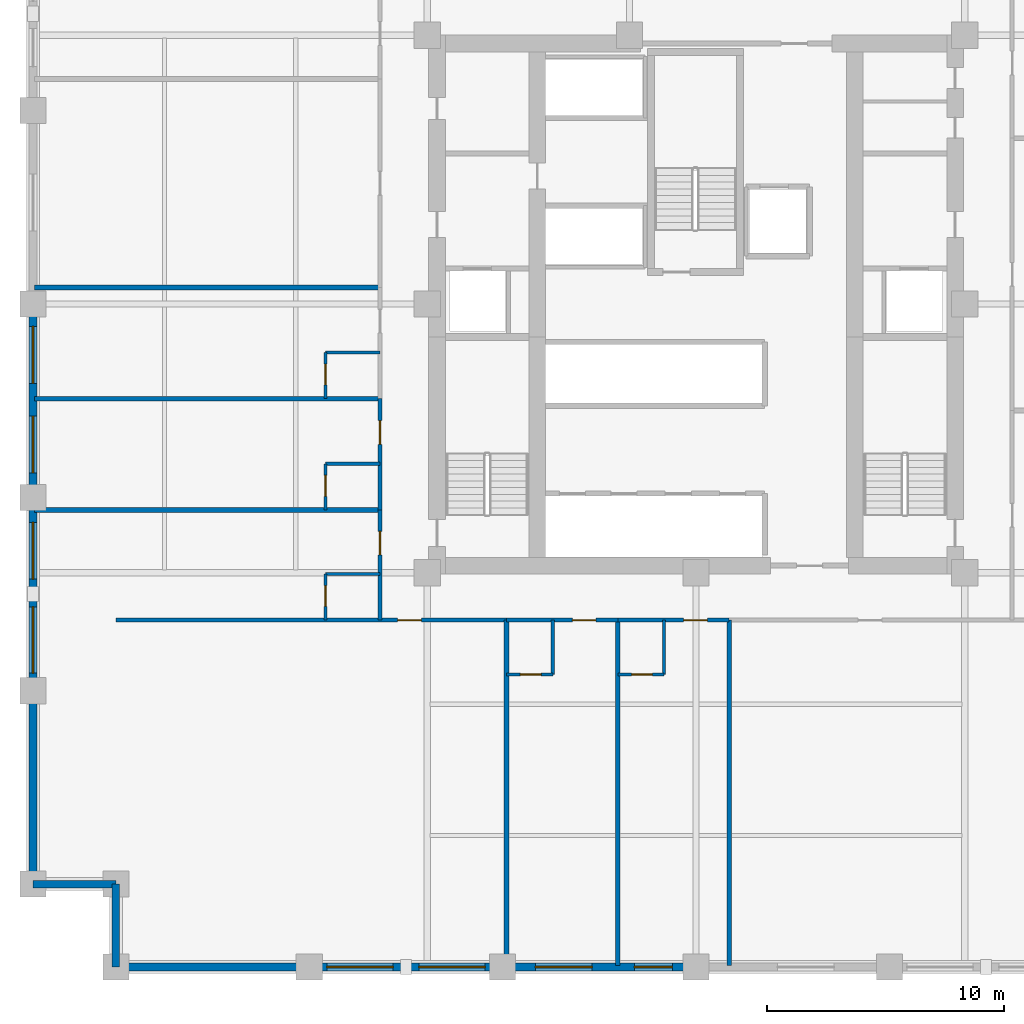
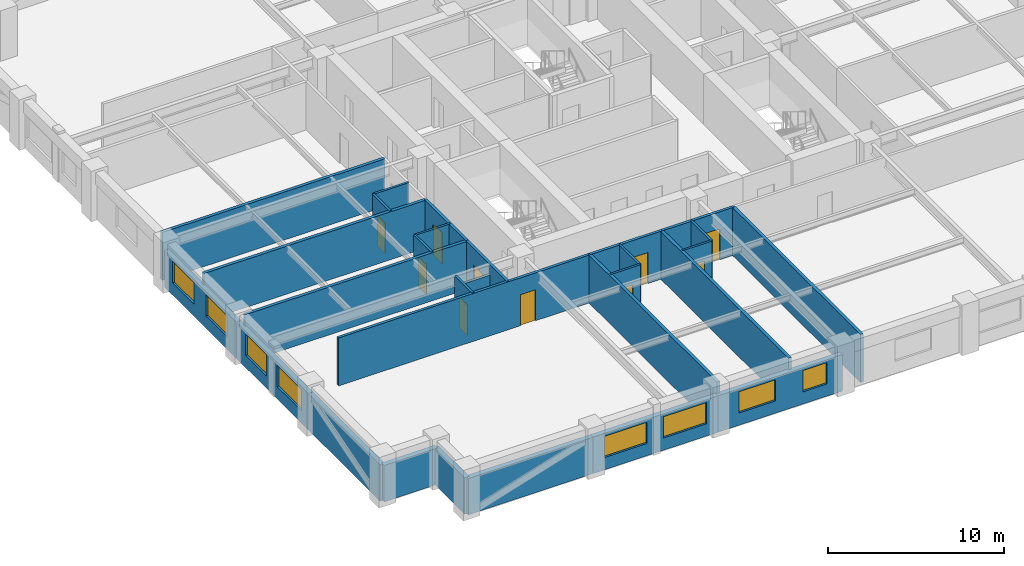
# One storey, part 2 of 7: 29 walls, 10 doors, 8 windows, 18 openings.
"""IFC4 building model written with IfcOpenShell, lengths in metres."""

import ifcopenshell
import ifcopenshell.guid

model = None  # the IFC model being written
_history = None  # IfcOwnerHistory: only IFC2X3 demands one
_inside = {}  # id of a spatial element -> (the spatial element, [elements in it])
_under = {}  # id of a project, library or spatial element -> (it, [spatial elements below it])
_declared = {}  # id of a project -> (the project, [libraries it declares])
_typed = {}  # id of a type object -> (the type object, [elements of that type])
_made_of = {}  # id of a material, layer set ... -> (it, [elements and type objects made of it])


def new_model(schema):
    """Start an empty IFC model of exactly this schema.

    Asked for "IFC4X3", IfcOpenShell would pick the latest addendum, in which some entities
    have other attributes; the version numbers below select the first issue.
    IFC2X3 requires an IfcOwnerHistory on every rooted entity: one is made here for all.
    """
    global model, _history
    if schema == "IFC4X3":
        model = ifcopenshell.file(schema_version=(4, 3, 0, 0))
    else:
        model = ifcopenshell.file(schema=schema)
    _inside.clear()
    _under.clear()
    _declared.clear()
    _typed.clear()
    _made_of.clear()
    _history = None
    if model.schema == "IFC2X3":
        org = make("IfcOrganization", Name="unknown")
        user = make(
            "IfcPersonAndOrganization",
            ThePerson=make("IfcPerson", FamilyName="unknown"),
            TheOrganization=org,
        )
        app = make(
            "IfcApplication",
            ApplicationDeveloper=org,
            Version="unknown",
            ApplicationFullName="unknown",
            ApplicationIdentifier="unknown",
        )
        _history = make(
            "IfcOwnerHistory",
            OwningUser=user,
            OwningApplication=app,
            ChangeAction="ADDED",
            CreationDate=0,
        )
    return model


def make(cls, **values):
    """One entity of the class cls with the attributes given. An attribute that is None is left unset."""
    return model.create_entity(
        cls, **{name: value for name, value in values.items() if value is not None}
    )


def rooted(cls, **values):
    """An entity with a GlobalId (a new one), such as an element, a storey or a relation."""
    return make(cls, GlobalId=ifcopenshell.guid.new(), OwnerHistory=_history, **values)


def si_unit(unit_type, name, prefix=None):
    """IfcSIUnit, for example si_unit("LENGTHUNIT", "METRE", prefix="MILLI")."""
    return make("IfcSIUnit", UnitType=unit_type, Prefix=prefix, Name=name)


def assignment(units):
    """IfcUnitAssignment: the units of a project."""
    return None if units is None else make("IfcUnitAssignment", Units=units)


def point(xyz):
    """IfcCartesianPoint."""
    return None if xyz is None else make("IfcCartesianPoint", Coordinates=xyz)


def direction(xyz):
    """IfcDirection."""
    return None if xyz is None else make("IfcDirection", DirectionRatios=xyz)


def frame(location, z_axis=None, x_axis=None):
    """IfcAxis2Placement3D, a coordinate frame: its origin and axes. An axis left out is left unset."""
    return make(
        "IfcAxis2Placement3D",
        Location=point(location),
        Axis=direction(z_axis),
        RefDirection=direction(x_axis),
    )


def frame_2d(location, x_axis=None):
    """IfcAxis2Placement2D, a coordinate frame in the plane: its origin and x axis."""
    return make(
        "IfcAxis2Placement2D", Location=point(location), RefDirection=direction(x_axis)
    )


def origin():
    """The frame at (0, 0, 0) with its axes left unset."""
    return frame((0.0, 0.0, 0.0))


def place(relative_to, where):
    """IfcLocalPlacement: puts the frame where relative to a parent placement (None: the world)."""
    return make(
        "IfcLocalPlacement", PlacementRelTo=relative_to, RelativePlacement=where
    )


def context(
    kind, dimensions, precision=None, world=None, true_north=None, identifier=None
):
    """IfcGeometricRepresentationContext, for example the 3D "Model" context."""
    return make(
        "IfcGeometricRepresentationContext",
        ContextIdentifier=identifier,
        ContextType=kind,
        CoordinateSpaceDimension=dimensions,
        Precision=precision,
        WorldCoordinateSystem=world,
        TrueNorth=true_north,
    )


def subcontext(parent, identifier, kind, view, scale=None):
    """IfcGeometricRepresentationSubContext, for example "Body" below "Model"."""
    return make(
        "IfcGeometricRepresentationSubContext",
        ContextIdentifier=identifier,
        ContextType=kind,
        ParentContext=parent,
        TargetScale=scale,
        TargetView=view,
    )


def project(units=None, contexts=None):
    """IfcProject with its units and contexts."""
    return rooted(
        "IfcProject",
        Name="project",
        RepresentationContexts=contexts,
        UnitsInContext=assignment(units),
    )


def spatial(cls, under=None, at=None, **own):
    """A site, building, storey or space (cls), placed at a placement, below another one or the project."""
    s = rooted(cls, ObjectPlacement=at, **own)
    if under is not None:
        _under.setdefault(under.id(), (under, []))[1].append(s)
    return s


def profile(cls, at=None, kind="AREA", **sizes):
    """A parametric profile (cls). Its sizes go by their IFC names, for example OverallWidth=200.0."""
    return make(cls, ProfileType=kind, Position=at, **sizes)


def rectangle(**sizes):
    """IfcRectangleProfileDef."""
    return profile("IfcRectangleProfileDef", **sizes)


def extrude(swept, where, along, depth):
    """IfcExtrudedAreaSolid: the profile swept, set in the frame where, extruded along a direction by depth."""
    return make(
        "IfcExtrudedAreaSolid",
        SweptArea=swept,
        Position=where,
        ExtrudedDirection=direction(along),
        Depth=depth,
    )


def shape(context_of_items, identifier, shape_type, items):
    """IfcShapeRepresentation: the items that make up one representation, for example the "Body"."""
    return make(
        "IfcShapeRepresentation",
        ContextOfItems=context_of_items,
        RepresentationIdentifier=identifier,
        RepresentationType=shape_type,
        Items=items,
    )


def material(Name=None, Category=None):
    """IfcMaterial."""
    return make("IfcMaterial", Name=Name, Category=Category)


def layer(
    of_material, thickness, ventilated=None, Name=None, Category=None, Priority=None
):
    """IfcMaterialLayer: one layer of a wall or slab, of a material (None: an air gap)."""
    return make(
        "IfcMaterialLayer",
        Material=of_material,
        LayerThickness=thickness,
        IsVentilated=ventilated,
        Name=Name,
        Category=Category,
        Priority=Priority,
    )


def layer_set(layers, Name=None):
    """IfcMaterialLayerSet."""
    return make("IfcMaterialLayerSet", MaterialLayers=layers, LayerSetName=Name)


def made_of(thing, what):
    """Note that an element or type object is made of a material, layer set ...; save() writes the relation."""
    if what is not None:
        _made_of.setdefault(what.id(), (what, []))[1].append(thing)
    return thing


def type_object(cls, material=None, **own):
    """A type object (cls), such as IfcWallType, which elements share."""
    return made_of(rooted(cls, **own), material)


def element(
    cls,
    number,
    at=None,
    inside=None,
    cuts=None,
    type_object=None,
    material=None,
    context=None,
    identifier="Body",
    shape_type=None,
    held_by="IfcProductDefinitionShape",
    body=None,
    shapes=None,
    **own,
):
    """One element of the class cls, such as IfcWall. Its Tag is "e" and its number.

    at: its placement. inside: the storey or other place that contains it. cuts: it is an
    opening in that element (IfcRelVoidsElement). A single representation is given by context,
    identifier, shape_type and body (its items); several are given by shapes. held_by: the class
    of the entity that holds the representations. save() writes the other relations.
    """
    e = rooted(cls, Tag="e%d" % number, ObjectPlacement=at, **own)
    if body is not None:
        shapes = [shape(context, identifier, shape_type, body)]
    if shapes is not None:
        e.Representation = make(held_by, Representations=shapes)
    if inside is not None:
        _inside.setdefault(inside.id(), (inside, []))[1].append(e)
    if cuts is not None:
        rooted(
            "IfcRelVoidsElement", RelatingBuildingElement=cuts, RelatedOpeningElement=e
        )
    if type_object is not None:
        _typed.setdefault(type_object.id(), (type_object, []))[1].append(e)
    return made_of(e, material)


def fill(opening, filler):
    """IfcRelFillsElement: the door or window that sits in an opening."""
    return rooted(
        "IfcRelFillsElement",
        RelatingOpeningElement=opening,
        RelatedBuildingElement=filler,
    )


def aggregate(whole, parts):
    """IfcRelAggregates: a whole, such as a stair, and the parts it consists of."""
    return rooted("IfcRelAggregates", RelatingObject=whole, RelatedObjects=parts)


def save(model, path):
    """Write the relations noted so far, then the file.

    IfcRelAggregates (storeys below a building ...), IfcRelContainedInSpatialStructure (elements
    in a storey), IfcRelDefinesByType, IfcRelAssociatesMaterial and IfcRelDeclares: one each for
    every whole, place, type object, material and project.
    """
    for whole, parts in _under.values():
        aggregate(whole, parts)
    for where, things in _inside.values():
        rooted(
            "IfcRelContainedInSpatialStructure",
            RelatedElements=things,
            RelatingStructure=where,
        )
    for kind, things in _typed.values():
        rooted("IfcRelDefinesByType", RelatedObjects=things, RelatingType=kind)
    for what, things in _made_of.values():
        rooted("IfcRelAssociatesMaterial", RelatedObjects=things, RelatingMaterial=what)
    for by, libraries in _declared.values():
        rooted("IfcRelDeclares", RelatingContext=by, RelatedDefinitions=libraries)
    model.write(path)


model = new_model("IFC4")

# Units and contexts
model_context = context("Model", 3, precision=1e-05, world=origin(), true_north=direction((0.0, 1.0)))
body_context = subcontext(model_context, "Body", "Model", "MODEL_VIEW")
ifc_project = project(units=[si_unit("LENGTHUNIT", "METRE"), si_unit("AREAUNIT", "SQUARE_METRE"), si_unit("VOLUMEUNIT", "CUBIC_METRE"), si_unit("PLANEANGLEUNIT", "RADIAN"), si_unit("MASSUNIT", "GRAM", prefix="KILO")], contexts=[model_context])

# Site, building, storey
site_placement = place(None, origin())
site = spatial("IfcSite", under=ifc_project, at=site_placement, CompositionType="ELEMENT")
building_placement = place(site_placement, origin())
building = spatial("IfcBuilding", under=site, at=building_placement, Name="Nhamokura Convention Tower", CompositionType="ELEMENT")
storey_placement = place(building_placement, frame((0.0, 0.0, 59.85009765625)))
storey = spatial("IfcBuildingStorey", under=building, at=storey_placement, Name="L13", CompositionType="ELEMENT", Elevation=59.85009765625)

# Wall
ifc_material_1 = material(Name="Moisture-resistant tile-backer partition", Category="masonry")
ifc_layer_1 = layer(ifc_material_1, 0.139892578125)
ifc_layer_set_1 = layer_set([ifc_layer_1], Name="BathroomWetWall_140")
wall_type_1 = type_object("IfcWallType", Name="BathroomWetWall_140", PredefinedType="STANDARD", material=ifc_layer_set_1)
wall_1_placement = place(storey_placement, frame((25.949951171875, 16.35009765625, 0.0), z_axis=(0.0, 0.0, 1.0), x_axis=(0.0, 1.0, 0.0)))
element("IfcWall", 1, at=wall_1_placement, inside=storey, type_object=wall_type_1, Name="L13 Wall INT-L13-BW-S01E", PredefinedType="STANDARD", context=body_context, shape_type="SweptSolid", body=[
    extrude(rectangle(XDim=2.2998046875, YDim=0.139892578125, at=frame_2d((1.14990234375, 0.0))), origin(), (0.0, 0.0, 1.0), 3.31982421875),
])

# Wall, opening, door
wall_2_placement = place(storey_placement, frame((24.0, 16.35009765625, 0.0), z_axis=(0.0, 0.0, 1.0), x_axis=(1.0, 0.0, 0.0)))
wall_2 = element("IfcWall", 2, at=wall_2_placement, inside=storey, type_object=wall_type_1, Name="L13 Wall INT-L13-BW-S01S", PredefinedType="STANDARD", context=body_context, shape_type="SweptSolid", body=[
    extrude(rectangle(XDim=1.949951171875, YDim=0.139892578125, at=frame_2d((0.97509765625, 0.0))), origin(), (0.0, 0.0, 1.0), 3.31982421875),
])
opening_1_placement = place(wall_2_placement, frame((0.580078125, 0.0, 0.0)))
opening_1 = element("IfcOpeningElement", 3, at=opening_1_placement, cuts=wall_2, Name="Opening D-11", PredefinedType="OPENING", context=body_context, shape_type="SweptSolid", body=[
    extrude(rectangle(XDim=0.8798828125, YDim=2.10009765625, at=frame_2d((0.43994140625, 1.050048828125))), frame((0.0, 0.079833984375, 0.0), z_axis=(0.0, -1.0, 0.0), x_axis=(1.0, 0.0, 0.0)), (0.0, 0.0, 1.0), 0.159912109375),
])
ifc_material_2 = material(Name="Solid oak hardwood", Category="wood")
door_type_1 = type_object("IfcDoorType", Name="BathroomDoor_880", OperationType="NOTDEFINED", PredefinedType="DOOR", material=ifc_material_2)
door_1_placement = place(opening_1_placement, origin())
door_1 = element("IfcDoor", 4, at=door_1_placement, inside=storey, type_object=door_type_1, Name="L13 Club Room En-suite Door", OperationType="SINGLE_SWING_LEFT", OverallHeight=2.10009765625, OverallWidth=0.8798828125, PredefinedType="DOOR", context=body_context, shape_type="SweptSolid", body=[
    extrude(rectangle(XDim=0.8798828125, YDim=2.10009765625, at=frame_2d((0.43994140625, 1.050048828125))), frame((0.0, 0.02490234375, 0.0), z_axis=(0.0, -1.0, 0.0), x_axis=(1.0, 0.0, 0.0)), (0.0, 0.0, 1.0), 0.050048828125),
])
fill(opening_1, door_1)

# Wall
wall_3_placement = place(storey_placement, frame((30.64990234375, 16.35009765625, 0.0), z_axis=(0.0, 0.0, 1.0), x_axis=(0.0, 1.0, 0.0)))
element("IfcWall", 5, at=wall_3_placement, inside=storey, type_object=wall_type_1, Name="L13 Wall INT-L13-BW-S02E", PredefinedType="STANDARD", context=body_context, shape_type="SweptSolid", body=[
    extrude(rectangle(XDim=2.2998046875, YDim=0.139892578125, at=frame_2d((1.14990234375, 0.0))), origin(), (0.0, 0.0, 1.0), 3.31982421875),
])

# Wall, opening, door
wall_4_placement = place(storey_placement, frame((28.699951171875, 16.35009765625, 0.0), z_axis=(0.0, 0.0, 1.0), x_axis=(1.0, 0.0, 0.0)))
wall_4 = element("IfcWall", 6, at=wall_4_placement, inside=storey, type_object=wall_type_1, Name="L13 Wall INT-L13-BW-S02S", PredefinedType="STANDARD", context=body_context, shape_type="SweptSolid", body=[
    extrude(rectangle(XDim=1.949951171875, YDim=0.139892578125, at=frame_2d((0.97509765625, 0.0))), origin(), (0.0, 0.0, 1.0), 3.31982421875),
])
opening_2_placement = place(wall_4_placement, frame((0.580078125, 0.0, 0.0)))
opening_2 = element("IfcOpeningElement", 7, at=opening_2_placement, cuts=wall_4, Name="Opening D-11", PredefinedType="OPENING", context=body_context, shape_type="SweptSolid", body=[
    extrude(rectangle(XDim=0.8798828125, YDim=2.10009765625, at=frame_2d((0.43994140625, 1.050048828125))), frame((0.0, 0.079833984375, 0.0), z_axis=(0.0, -1.0, 0.0), x_axis=(1.0, 0.0, 0.0)), (0.0, 0.0, 1.0), 0.159912109375),
])
door_2_placement = place(opening_2_placement, origin())
door_2 = element("IfcDoor", 8, at=door_2_placement, inside=storey, type_object=door_type_1, Name="L13 Guest Room En-suite Door", OperationType="SINGLE_SWING_LEFT", OverallHeight=2.10009765625, OverallWidth=0.8798828125, PredefinedType="DOOR", context=body_context, shape_type="SweptSolid", body=[
    extrude(rectangle(XDim=0.8798828125, YDim=2.10009765625, at=frame_2d((0.43994140625, 1.050048828125))), frame((0.0, 0.02490234375, 0.0), z_axis=(0.0, -1.0, 0.0), x_axis=(1.0, 0.0, 0.0)), (0.0, 0.0, 1.0), 0.050048828125),
])
fill(opening_2, door_2)

# Wall
wall_5_placement = place(storey_placement, frame((16.35009765625, 20.60009765625, 0.0), z_axis=(0.0, 0.0, 1.0), x_axis=(1.0, 0.0, 0.0)))
element("IfcWall", 9, at=wall_5_placement, inside=storey, type_object=wall_type_1, Name="L13 Wall INT-L13-BW-W00N", PredefinedType="STANDARD", context=body_context, shape_type="SweptSolid", body=[
    extrude(rectangle(XDim=2.2998046875, YDim=0.139892578125, at=frame_2d((1.14990234375, 0.0))), origin(), (0.0, 0.0, 1.0), 2.614990234375),
])

# Wall, opening, door
wall_6_placement = place(storey_placement, frame((16.35009765625, 18.64990234375, 0.0), z_axis=(0.0, 0.0, 1.0), x_axis=(0.0, 1.0, 0.0)))
wall_6 = element("IfcWall", 10, at=wall_6_placement, inside=storey, type_object=wall_type_1, Name="L13 Wall INT-L13-BW-W00W", PredefinedType="STANDARD", context=body_context, shape_type="SweptSolid", body=[
    extrude(rectangle(XDim=1.9501953125, YDim=0.139892578125, at=frame_2d((0.97509765625, 0.0))), origin(), (0.0, 0.0, 1.0), 3.31982421875),
])
opening_3_placement = place(wall_6_placement, frame((0.580078125, 0.0, 0.0)))
opening_3 = element("IfcOpeningElement", 11, at=opening_3_placement, cuts=wall_6, Name="Opening D-11", PredefinedType="OPENING", context=body_context, shape_type="SweptSolid", body=[
    extrude(rectangle(XDim=0.8798828125, YDim=2.10009765625, at=frame_2d((0.43994140625, 1.050048828125))), frame((0.0, 0.079833984375, 0.0), z_axis=(0.0, -1.0, 0.0), x_axis=(1.0, 0.0, 0.0)), (0.0, 0.0, 1.0), 0.159912109375),
])
door_3_placement = place(opening_3_placement, origin())
door_3 = element("IfcDoor", 12, at=door_3_placement, inside=storey, type_object=door_type_1, Name="L13 Guest Room En-suite Door", OperationType="SINGLE_SWING_RIGHT", OverallHeight=2.10009765625, OverallWidth=0.8798828125, PredefinedType="DOOR", context=body_context, shape_type="SweptSolid", body=[
    extrude(rectangle(XDim=0.8798828125, YDim=2.10009765625, at=frame_2d((0.43994140625, 1.050048828125))), frame((0.0, 0.02490234375, 0.0), z_axis=(0.0, -1.0, 0.0), x_axis=(1.0, 0.0, 0.0)), (0.0, 0.0, 1.0), 0.050048828125),
])
fill(opening_3, door_3)

# Wall
wall_7_placement = place(storey_placement, frame((16.35009765625, 25.25, 0.0), z_axis=(0.0, 0.0, 1.0), x_axis=(1.0, 0.0, 0.0)))
element("IfcWall", 13, at=wall_7_placement, inside=storey, type_object=wall_type_1, Name="L13 Wall INT-L13-BW-W01N", PredefinedType="STANDARD", context=body_context, shape_type="SweptSolid", body=[
    extrude(rectangle(XDim=2.2998046875, YDim=0.139892578125, at=frame_2d((1.14990234375, 0.0))), origin(), (0.0, 0.0, 1.0), 3.31982421875),
])

# Wall, opening, door
wall_8_placement = place(storey_placement, frame((16.35009765625, 23.300048828125, 0.0), z_axis=(0.0, 0.0, 1.0), x_axis=(0.0, 1.0, 0.0)))
wall_8 = element("IfcWall", 14, at=wall_8_placement, inside=storey, type_object=wall_type_1, Name="L13 Wall INT-L13-BW-W01W", PredefinedType="STANDARD", context=body_context, shape_type="SweptSolid", body=[
    extrude(rectangle(XDim=1.949951171875, YDim=0.139892578125, at=frame_2d((0.97509765625, 0.0))), origin(), (0.0, 0.0, 1.0), 3.31982421875),
])
opening_4_placement = place(wall_8_placement, frame((0.580078125, 0.0, 0.0)))
opening_4 = element("IfcOpeningElement", 15, at=opening_4_placement, cuts=wall_8, Name="Opening D-11", PredefinedType="OPENING", context=body_context, shape_type="SweptSolid", body=[
    extrude(rectangle(XDim=0.8798828125, YDim=2.10009765625, at=frame_2d((0.43994140625, 1.050048828125))), frame((0.0, 0.079833984375, 0.0), z_axis=(0.0, -1.0, 0.0), x_axis=(1.0, 0.0, 0.0)), (0.0, 0.0, 1.0), 0.159912109375),
])
door_4_placement = place(opening_4_placement, origin())
door_4 = element("IfcDoor", 16, at=door_4_placement, inside=storey, type_object=door_type_1, Name="L13 Corner Suite En-suite Door", OperationType="SINGLE_SWING_RIGHT", OverallHeight=2.10009765625, OverallWidth=0.8798828125, PredefinedType="DOOR", context=body_context, shape_type="SweptSolid", body=[
    extrude(rectangle(XDim=0.8798828125, YDim=2.10009765625, at=frame_2d((0.43994140625, 1.050048828125))), frame((0.0, 0.02490234375, 0.0), z_axis=(0.0, -1.0, 0.0), x_axis=(1.0, 0.0, 0.0)), (0.0, 0.0, 1.0), 0.050048828125),
])
fill(opening_4, door_4)

# Wall
wall_9_placement = place(storey_placement, frame((16.35009765625, 29.949951171875, 0.0), z_axis=(0.0, 0.0, 1.0), x_axis=(1.0, 0.0, 0.0)))
element("IfcWall", 17, at=wall_9_placement, inside=storey, type_object=wall_type_1, Name="L13 Wall INT-L13-BW-W02N", PredefinedType="STANDARD", context=body_context, shape_type="SweptSolid", body=[
    extrude(rectangle(XDim=2.2998046875, YDim=0.139892578125, at=frame_2d((1.14990234375, 0.0))), origin(), (0.0, 0.0, 1.0), 3.31982421875),
])

# Wall, opening, door
wall_10_placement = place(storey_placement, frame((16.35009765625, 28.0, 0.0), z_axis=(0.0, 0.0, 1.0), x_axis=(0.0, 1.0, 0.0)))
wall_10 = element("IfcWall", 18, at=wall_10_placement, inside=storey, type_object=wall_type_1, Name="L13 Wall INT-L13-BW-W02W", PredefinedType="STANDARD", context=body_context, shape_type="SweptSolid", body=[
    extrude(rectangle(XDim=1.949951171875, YDim=0.139892578125, at=frame_2d((0.97509765625, 0.0))), origin(), (0.0, 0.0, 1.0), 3.31982421875),
])
opening_5_placement = place(wall_10_placement, frame((0.580078125, 0.0, 0.0)))
opening_5 = element("IfcOpeningElement", 19, at=opening_5_placement, cuts=wall_10, Name="Opening D-11", PredefinedType="OPENING", context=body_context, shape_type="SweptSolid", body=[
    extrude(rectangle(XDim=0.8798828125, YDim=2.10009765625, at=frame_2d((0.43994140625, 1.050048828125))), frame((0.0, 0.079833984375, 0.0), z_axis=(0.0, -1.0, 0.0), x_axis=(1.0, 0.0, 0.0)), (0.0, 0.0, 1.0), 0.159912109375),
])
door_5_placement = place(opening_5_placement, origin())
door_5 = element("IfcDoor", 20, at=door_5_placement, inside=storey, type_object=door_type_1, Name="L13 Guest Room En-suite Door", OperationType="SINGLE_SWING_RIGHT", OverallHeight=2.10009765625, OverallWidth=0.8798828125, PredefinedType="DOOR", context=body_context, shape_type="SweptSolid", body=[
    extrude(rectangle(XDim=0.8798828125, YDim=2.10009765625, at=frame_2d((0.43994140625, 1.050048828125))), frame((0.0, 0.02490234375, 0.0), z_axis=(0.0, -1.0, 0.0), x_axis=(1.0, 0.0, 0.0)), (0.0, 0.0, 1.0), 0.050048828125),
])
fill(opening_5, door_5)

# Wall
ifc_material_3 = material(Name="Bronze-pigmented precast concrete C45/55", Category="concrete")
ifc_layer_2 = layer(ifc_material_3, 0.320068359375)
ifc_layer_set_2 = layer_set([ifc_layer_2], Name="BronzePrecastSpandrel_320")
wall_type_2 = type_object("IfcWallType", Name="BronzePrecastSpandrel_320", PredefinedType="USERDEFINED", material=ifc_layer_set_2)
wall_11_placement = place(storey_placement, frame((15.666748046875, 4.0, 0.0), z_axis=(0.0, 0.0, 1.0), x_axis=(-1.0, 0.0, 0.0)))
element("IfcWall", 21, at=wall_11_placement, inside=storey, type_object=wall_type_2, Name="L13 Braced-Bay Precast Wall SOUTH 0", ObjectType="SPANDREL_WALL", PredefinedType="USERDEFINED", context=body_context, shape_type="SweptSolid", body=[
    extrude(rectangle(XDim=8.166748046875, YDim=0.320068359375, at=frame_2d((4.08349609375, 0.0))), origin(), (0.0, 0.0, 1.0), 2.52001953125),
])

# Wall, openings, windows
wall_12_placement = place(storey_placement, frame((23.833251953125, 4.0, 0.0), z_axis=(0.0, 0.0, 1.0), x_axis=(-1.0, 0.0, 0.0)))
wall_12 = element("IfcWall", 22, at=wall_12_placement, inside=storey, type_object=wall_type_2, Name="L13 Masonry-Frame Wall SOUTH 1", ObjectType="SPANDREL_WALL", PredefinedType="USERDEFINED", context=body_context, shape_type="SweptSolid", body=[
    extrude(rectangle(XDim=8.16650390625, YDim=0.320068359375, at=frame_2d((4.083251953125, 0.0))), origin(), (0.0, 0.0, 1.0), 2.52001953125),
])
opening_6_placement = place(wall_12_placement, frame((0.74169921875, 0.0, 0.85009765625)))
opening_6 = element("IfcOpeningElement", 23, at=opening_6_placement, cuts=wall_12, Name="Opening W-04", PredefinedType="OPENING", context=body_context, shape_type="SweptSolid", body=[
    extrude(rectangle(XDim=2.800048828125, YDim=1.469970703125, at=frame_2d((1.39990234375, 0.73486328125))), frame((0.0, 0.169921875, 0.0), z_axis=(0.0, -1.0, 0.0), x_axis=(1.0, 0.0, 0.0)), (0.0, 0.0, 1.0), 0.340087890625),
])
opening_7_placement = place(wall_12_placement, frame((4.625, 0.0, 0.85009765625)))
opening_7 = element("IfcOpeningElement", 24, at=opening_7_placement, cuts=wall_12, Name="Opening W-04", PredefinedType="OPENING", context=body_context, shape_type="SweptSolid", body=[
    extrude(rectangle(XDim=2.800048828125, YDim=1.469970703125, at=frame_2d((1.39990234375, 0.73486328125))), frame((0.0, 0.169921875, 0.0), z_axis=(0.0, -1.0, 0.0), x_axis=(1.0, 0.0, 0.0)), (0.0, 0.0, 1.0), 0.340087890625),
])
ifc_material_4 = material(Name="Solar-control bronze low-E double glass", Category="glass")
window_type_1 = type_object("IfcWindowType", Name="HotelSuiteWindow_2800", PartitioningType="DOUBLE_PANEL_VERTICAL", PredefinedType="WINDOW", material=ifc_material_4)
window_1_placement = place(opening_6_placement, origin())
window_1 = element("IfcWindow", 25, at=window_1_placement, inside=storey, type_object=window_type_1, Name="L13 Facade Window SOUTH 1-1", OverallHeight=1.469970703125, OverallWidth=2.800048828125, PartitioningType="SINGLE_PANEL", PredefinedType="WINDOW", context=body_context, shape_type="SweptSolid", body=[
    extrude(rectangle(XDim=2.800048828125, YDim=1.469970703125, at=frame_2d((1.39990234375, 0.73486328125))), frame((0.0, 0.030029296875, 0.0), z_axis=(0.0, -1.0, 0.0), x_axis=(1.0, 0.0, 0.0)), (0.0, 0.0, 1.0), 0.06005859375),
])
fill(opening_6, window_1)
window_2_placement = place(opening_7_placement, origin())
window_2 = element("IfcWindow", 26, at=window_2_placement, inside=storey, type_object=window_type_1, Name="L13 Facade Window SOUTH 1-2", OverallHeight=1.469970703125, OverallWidth=2.800048828125, PartitioningType="SINGLE_PANEL", PredefinedType="WINDOW", context=body_context, shape_type="SweptSolid", body=[
    extrude(rectangle(XDim=2.800048828125, YDim=1.469970703125, at=frame_2d((1.39990234375, 0.73486328125))), frame((0.0, 0.030029296875, 0.0), z_axis=(0.0, -1.0, 0.0), x_axis=(1.0, 0.0, 0.0)), (0.0, 0.0, 1.0), 0.06005859375),
])
fill(opening_7, window_2)

wall_13_placement = place(storey_placement, frame((32.0, 4.0, 0.0), z_axis=(0.0, 0.0, 1.0), x_axis=(-1.0, 0.0, 0.0)))
wall_13 = element("IfcWall", 27, at=wall_13_placement, inside=storey, type_object=wall_type_2, Name="L13 Masonry-Frame Wall SOUTH 2", ObjectType="SPANDREL_WALL", PredefinedType="USERDEFINED", context=body_context, shape_type="SweptSolid", body=[
    extrude(rectangle(XDim=8.166748046875, YDim=0.320068359375, at=frame_2d((4.08349609375, 0.0))), origin(), (0.0, 0.0, 1.0), 2.52001953125),
])
opening_8_placement = place(wall_13_placement, frame((1.0, 0.0, 0.85009765625)))
opening_8 = element("IfcOpeningElement", 28, at=opening_8_placement, cuts=wall_13, Name="Opening W-11", PredefinedType="OPENING", context=body_context, shape_type="SweptSolid", body=[
    extrude(rectangle(XDim=1.60009765625, YDim=1.469970703125, at=frame_2d((0.800048828125, 0.73486328125))), frame((0.0, 0.169921875, 0.0), z_axis=(0.0, -1.0, 0.0), x_axis=(1.0, 0.0, 0.0)), (0.0, 0.0, 1.0), 0.340087890625),
])
opening_9_placement = place(wall_13_placement, frame((4.38330078125, 0.0, 0.85009765625)))
opening_9 = element("IfcOpeningElement", 29, at=opening_9_placement, cuts=wall_13, Name="Opening W-03", PredefinedType="OPENING", context=body_context, shape_type="SweptSolid", body=[
    extrude(rectangle(XDim=2.39990234375, YDim=1.469970703125, at=frame_2d((1.199951171875, 0.73486328125))), frame((0.0, 0.169921875, 0.0), z_axis=(0.0, -1.0, 0.0), x_axis=(1.0, 0.0, 0.0)), (0.0, 0.0, 1.0), 0.340087890625),
])
ifc_material_5 = material(Name="Solar-control bronze low-E double glass", Category="glass")
window_type_2 = type_object("IfcWindowType", Name="HotelBayWindow_2400", PartitioningType="DOUBLE_PANEL_VERTICAL", PredefinedType="WINDOW", material=ifc_material_5)
window_3_placement = place(opening_9_placement, origin())
window_3 = element("IfcWindow", 30, at=window_3_placement, inside=storey, type_object=window_type_2, Name="L13 Facade Window SOUTH 2-2", OverallHeight=1.469970703125, OverallWidth=2.39990234375, PartitioningType="SINGLE_PANEL", PredefinedType="WINDOW", context=body_context, shape_type="SweptSolid", body=[
    extrude(rectangle(XDim=2.39990234375, YDim=1.469970703125, at=frame_2d((1.199951171875, 0.73486328125))), frame((0.0, 0.030029296875, 0.0), z_axis=(0.0, -1.0, 0.0), x_axis=(1.0, 0.0, 0.0)), (0.0, 0.0, 1.0), 0.06005859375),
])
fill(opening_9, window_3)
ifc_material_6 = material(Name="Solar-control bronze low-E double glass", Category="glass")
window_type_3 = type_object("IfcWindowType", Name="NotchCornerWindow_1600", PartitioningType="SINGLE_PANEL", PredefinedType="WINDOW", material=ifc_material_6)
window_4_placement = place(opening_8_placement, origin())
window_4 = element("IfcWindow", 31, at=window_4_placement, inside=storey, type_object=window_type_3, Name="L13 Facade Window SOUTH 2-1", OverallHeight=1.469970703125, OverallWidth=1.60009765625, PartitioningType="SINGLE_PANEL", PredefinedType="WINDOW", context=body_context, shape_type="SweptSolid", body=[
    extrude(rectangle(XDim=1.60009765625, YDim=1.469970703125, at=frame_2d((0.800048828125, 0.73486328125))), frame((0.0, 0.030029296875, 0.0), z_axis=(0.0, -1.0, 0.0), x_axis=(1.0, 0.0, 0.0)), (0.0, 0.0, 1.0), 0.06005859375),
])
fill(opening_8, window_4)

# Wall
wall_14_placement = place(storey_placement, frame((4.0, 7.5, 0.0), z_axis=(0.0, 0.0, 1.0), x_axis=(0.0, 1.0, 0.0)))
element("IfcWall", 32, at=wall_14_placement, inside=storey, type_object=wall_type_2, Name="L13 Braced-Bay Precast Wall WEST 0", ObjectType="SPANDREL_WALL", PredefinedType="USERDEFINED", context=body_context, shape_type="SweptSolid", body=[
    extrude(rectangle(XDim=8.166748046875, YDim=0.320068359375, at=frame_2d((4.08349609375, 0.0))), origin(), (0.0, 0.0, 1.0), 2.52001953125),
])

# Wall, openings, windows
wall_15_placement = place(storey_placement, frame((4.0, 15.666748046875, 0.0), z_axis=(0.0, 0.0, 1.0), x_axis=(0.0, 1.0, 0.0)))
wall_15 = element("IfcWall", 33, at=wall_15_placement, inside=storey, type_object=wall_type_2, Name="L13 Masonry-Frame Wall WEST 1", ObjectType="SPANDREL_WALL", PredefinedType="USERDEFINED", context=body_context, shape_type="SweptSolid", body=[
    extrude(rectangle(XDim=8.16650390625, YDim=0.320068359375, at=frame_2d((4.083251953125, 0.0))), origin(), (0.0, 0.0, 1.0), 2.52001953125),
])
opening_10_placement = place(wall_15_placement, frame((0.74169921875, 0.0, 0.85009765625)))
opening_10 = element("IfcOpeningElement", 34, at=opening_10_placement, cuts=wall_15, Name="Opening W-04", PredefinedType="OPENING", context=body_context, shape_type="SweptSolid", body=[
    extrude(rectangle(XDim=2.800048828125, YDim=1.469970703125, at=frame_2d((1.39990234375, 0.73486328125))), frame((0.0, 0.169921875, 0.0), z_axis=(0.0, -1.0, 0.0), x_axis=(1.0, 0.0, 0.0)), (0.0, 0.0, 1.0), 0.340087890625),
])
opening_11_placement = place(wall_15_placement, frame((4.708251953125, 0.0, 0.85009765625)))
opening_11 = element("IfcOpeningElement", 35, at=opening_11_placement, cuts=wall_15, Name="Opening W-03", PredefinedType="OPENING", context=body_context, shape_type="SweptSolid", body=[
    extrude(rectangle(XDim=2.39990234375, YDim=1.469970703125, at=frame_2d((1.199951171875, 0.73486328125))), frame((0.0, 0.169921875, 0.0), z_axis=(0.0, -1.0, 0.0), x_axis=(1.0, 0.0, 0.0)), (0.0, 0.0, 1.0), 0.340087890625),
])
window_5_placement = place(opening_11_placement, origin())
window_5 = element("IfcWindow", 36, at=window_5_placement, inside=storey, type_object=window_type_2, Name="L13 Facade Window WEST 1-2", OverallHeight=1.469970703125, OverallWidth=2.39990234375, PartitioningType="SINGLE_PANEL", PredefinedType="WINDOW", context=body_context, shape_type="SweptSolid", body=[
    extrude(rectangle(XDim=2.39990234375, YDim=1.469970703125, at=frame_2d((1.199951171875, 0.73486328125))), frame((0.0, 0.030029296875, 0.0), z_axis=(0.0, -1.0, 0.0), x_axis=(1.0, 0.0, 0.0)), (0.0, 0.0, 1.0), 0.06005859375),
])
fill(opening_11, window_5)
window_6_placement = place(opening_10_placement, origin())
window_6 = element("IfcWindow", 37, at=window_6_placement, inside=storey, type_object=window_type_1, Name="L13 Facade Window WEST 1-1", OverallHeight=1.469970703125, OverallWidth=2.800048828125, PartitioningType="SINGLE_PANEL", PredefinedType="WINDOW", context=body_context, shape_type="SweptSolid", body=[
    extrude(rectangle(XDim=2.800048828125, YDim=1.469970703125, at=frame_2d((1.39990234375, 0.73486328125))), frame((0.0, 0.030029296875, 0.0), z_axis=(0.0, -1.0, 0.0), x_axis=(1.0, 0.0, 0.0)), (0.0, 0.0, 1.0), 0.06005859375),
])
fill(opening_10, window_6)

wall_16_placement = place(storey_placement, frame((4.0, 23.833251953125, 0.0), z_axis=(0.0, 0.0, 1.0), x_axis=(0.0, 1.0, 0.0)))
wall_16 = element("IfcWall", 38, at=wall_16_placement, inside=storey, type_object=wall_type_2, Name="L13 Masonry-Frame Wall WEST 2", ObjectType="SPANDREL_WALL", PredefinedType="USERDEFINED", context=body_context, shape_type="SweptSolid", body=[
    extrude(rectangle(XDim=8.166748046875, YDim=0.320068359375, at=frame_2d((4.08349609375, 0.0))), origin(), (0.0, 0.0, 1.0), 2.52001953125),
])
opening_12_placement = place(wall_16_placement, frame((1.033203125, 0.0, 0.85009765625)))
opening_12 = element("IfcOpeningElement", 39, at=opening_12_placement, cuts=wall_16, Name="Opening W-03", PredefinedType="OPENING", context=body_context, shape_type="SweptSolid", body=[
    extrude(rectangle(XDim=2.39990234375, YDim=1.469970703125, at=frame_2d((1.199951171875, 0.73486328125))), frame((0.0, 0.169921875, 0.0), z_axis=(0.0, -1.0, 0.0), x_axis=(1.0, 0.0, 0.0)), (0.0, 0.0, 1.0), 0.340087890625),
])
opening_13_placement = place(wall_16_placement, frame((4.816650390625, 0.0, 0.85009765625)))
opening_13 = element("IfcOpeningElement", 40, at=opening_13_placement, cuts=wall_16, Name="Opening W-03", PredefinedType="OPENING", context=body_context, shape_type="SweptSolid", body=[
    extrude(rectangle(XDim=2.39990234375, YDim=1.469970703125, at=frame_2d((1.199951171875, 0.73486328125))), frame((0.0, 0.169921875, 0.0), z_axis=(0.0, -1.0, 0.0), x_axis=(1.0, 0.0, 0.0)), (0.0, 0.0, 1.0), 0.340087890625),
])
window_7_placement = place(opening_12_placement, origin())
window_7 = element("IfcWindow", 41, at=window_7_placement, inside=storey, type_object=window_type_2, Name="L13 Facade Window WEST 2-1", OverallHeight=1.469970703125, OverallWidth=2.39990234375, PartitioningType="SINGLE_PANEL", PredefinedType="WINDOW", context=body_context, shape_type="SweptSolid", body=[
    extrude(rectangle(XDim=2.39990234375, YDim=1.469970703125, at=frame_2d((1.199951171875, 0.73486328125))), frame((0.0, 0.030029296875, 0.0), z_axis=(0.0, -1.0, 0.0), x_axis=(1.0, 0.0, 0.0)), (0.0, 0.0, 1.0), 0.06005859375),
])
fill(opening_12, window_7)
window_8_placement = place(opening_13_placement, origin())
window_8 = element("IfcWindow", 42, at=window_8_placement, inside=storey, type_object=window_type_2, Name="L13 Facade Window WEST 2-2", OverallHeight=1.469970703125, OverallWidth=2.39990234375, PartitioningType="SINGLE_PANEL", PredefinedType="WINDOW", context=body_context, shape_type="SweptSolid", body=[
    extrude(rectangle(XDim=2.39990234375, YDim=1.469970703125, at=frame_2d((1.199951171875, 0.73486328125))), frame((0.0, 0.030029296875, 0.0), z_axis=(0.0, -1.0, 0.0), x_axis=(1.0, 0.0, 0.0)), (0.0, 0.0, 1.0), 0.06005859375),
])
fill(opening_13, window_8)

# Walls
for number, where, z_axis, x_axis, name in (
    (43, (7.5, 4.0, 0.0), (0.0, 0.0, 1.0), (0.0, 1.0, 0.0), "L13 Notched Corner Wall SW1"),
    (44, (7.5, 7.5, 0.0), (0.0, 0.0, 1.0), (-1.0, 0.0, 0.0), "L13 Notched Corner Wall SW2"),
):
    element("IfcWall", number, at=place(storey_placement, frame(where, z_axis=z_axis, x_axis=x_axis)), inside=storey, type_object=wall_type_2, Name=name, ObjectType="SPANDREL_WALL", PredefinedType="USERDEFINED", context=body_context, shape_type="SweptSolid", body=[
        extrude(rectangle(XDim=3.5, YDim=0.320068359375, at=frame_2d((1.75, 0.0))), origin(), (0.0, 0.0, 1.0), 2.52001953125),
    ])

# Wall, opening, door
ifc_material_7 = material(Name="Fire-rated gypsum and masonry partition", Category="masonry")
ifc_layer_3 = layer(ifc_material_7, 0.179931640625)
ifc_layer_set_3 = layer_set([ifc_layer_3], Name="CorridorRatedWall_180")
wall_type_3 = type_object("IfcWallType", Name="CorridorRatedWall_180", PredefinedType="STANDARD", material=ifc_layer_set_3)
wall_17_placement = place(storey_placement, frame((7.5, 18.64990234375, 0.0), z_axis=(0.0, 0.0, 1.0), x_axis=(1.0, 0.0, 0.0)))
wall_17 = element("IfcWall", 45, at=wall_17_placement, inside=storey, type_object=wall_type_3, Name="L13 Wall INT-L13-CW-S00", PredefinedType="STANDARD", context=body_context, shape_type="SweptSolid", body=[
    extrude(rectangle(XDim=16.5, YDim=0.179931640625, at=frame_2d((8.25, 0.0))), origin(), (0.0, 0.0, 1.0), 3.31982421875),
])
opening_14_placement = place(wall_17_placement, frame((11.89990234375, 0.0, 0.0)))
opening_14 = element("IfcOpeningElement", 46, at=opening_14_placement, cuts=wall_17, Name="Opening D-07", PredefinedType="OPENING", context=body_context, shape_type="SweptSolid", body=[
    extrude(rectangle(XDim=1.0, YDim=2.14990234375, at=frame_2d((0.5, 1.074951171875))), frame((0.0, 0.099853515625, 0.0), z_axis=(0.0, -1.0, 0.0), x_axis=(1.0, 0.0, 0.0)), (0.0, 0.0, 1.0), 0.199951171875),
])
ifc_material_8 = material(Name="Solid oak hardwood", Category="wood")
door_type_2 = type_object("IfcDoorType", Name="HotelSuiteEntryDoor_1000", OperationType="NOTDEFINED", PredefinedType="DOOR", material=ifc_material_8)
door_6_placement = place(opening_14_placement, origin())
door_6 = element("IfcDoor", 47, at=door_6_placement, inside=storey, type_object=door_type_2, Name="L13 Conference Salon S01 Door", OperationType="SINGLE_SWING_LEFT", OverallHeight=2.14990234375, OverallWidth=1.0, PredefinedType="DOOR", context=body_context, shape_type="SweptSolid", body=[
    extrude(rectangle(XDim=1.0, YDim=2.14990234375, at=frame_2d((0.5, 1.074951171875))), frame((0.0, 0.02490234375, 0.0), z_axis=(0.0, -1.0, 0.0), x_axis=(1.0, 0.0, 0.0)), (0.0, 0.0, 1.0), 0.050048828125),
])
fill(opening_14, door_6)

wall_18_placement = place(storey_placement, frame((24.0, 18.64990234375, 0.0), z_axis=(0.0, 0.0, 1.0), x_axis=(1.0, 0.0, 0.0)))
wall_18 = element("IfcWall", 48, at=wall_18_placement, inside=storey, type_object=wall_type_3, Name="L13 Wall INT-L13-CW-S01", PredefinedType="STANDARD", context=body_context, shape_type="SweptSolid", body=[
    extrude(rectangle(XDim=4.699951171875, YDim=0.179931640625, at=frame_2d((2.35009765625, 0.0))), origin(), (0.0, 0.0, 1.0), 3.31982421875),
])
opening_15_placement = place(wall_18_placement, frame((2.77490234375, 0.0, 0.0)))
opening_15 = element("IfcOpeningElement", 49, at=opening_15_placement, cuts=wall_18, Name="Opening D-07", PredefinedType="OPENING", context=body_context, shape_type="SweptSolid", body=[
    extrude(rectangle(XDim=1.0, YDim=2.14990234375, at=frame_2d((0.5, 1.074951171875))), frame((0.0, 0.099853515625, 0.0), z_axis=(0.0, -1.0, 0.0), x_axis=(1.0, 0.0, 0.0)), (0.0, 0.0, 1.0), 0.199951171875),
])
door_7_placement = place(opening_15_placement, origin())
door_7 = element("IfcDoor", 50, at=door_7_placement, inside=storey, type_object=door_type_2, Name="L13 Club Room S02 Door", OperationType="SINGLE_SWING_RIGHT", OverallHeight=2.14990234375, OverallWidth=1.0, PredefinedType="DOOR", context=body_context, shape_type="SweptSolid", body=[
    extrude(rectangle(XDim=1.0, YDim=2.14990234375, at=frame_2d((0.5, 1.074951171875))), frame((0.0, 0.02490234375, 0.0), z_axis=(0.0, -1.0, 0.0), x_axis=(1.0, 0.0, 0.0)), (0.0, 0.0, 1.0), 0.050048828125),
])
fill(opening_15, door_7)

wall_19_placement = place(storey_placement, frame((28.699951171875, 18.64990234375, 0.0), z_axis=(0.0, 0.0, 1.0), x_axis=(1.0, 0.0, 0.0)))
wall_19 = element("IfcWall", 51, at=wall_19_placement, inside=storey, type_object=wall_type_3, Name="L13 Wall INT-L13-CW-S02", PredefinedType="STANDARD", context=body_context, shape_type="SweptSolid", body=[
    extrude(rectangle(XDim=4.699951171875, YDim=0.179931640625, at=frame_2d((2.35009765625, 0.0))), origin(), (0.0, 0.0, 1.0), 3.31982421875),
])
opening_16_placement = place(wall_19_placement, frame((2.77490234375, 0.0, 0.0)))
opening_16 = element("IfcOpeningElement", 52, at=opening_16_placement, cuts=wall_19, Name="Opening D-07", PredefinedType="OPENING", context=body_context, shape_type="SweptSolid", body=[
    extrude(rectangle(XDim=1.0, YDim=2.14990234375, at=frame_2d((0.5, 1.074951171875))), frame((0.0, 0.099853515625, 0.0), z_axis=(0.0, -1.0, 0.0), x_axis=(1.0, 0.0, 0.0)), (0.0, 0.0, 1.0), 0.199951171875),
])
door_8_placement = place(opening_16_placement, origin())
door_8 = element("IfcDoor", 53, at=door_8_placement, inside=storey, type_object=door_type_2, Name="L13 Guest Room S03 Door", OperationType="SINGLE_SWING_LEFT", OverallHeight=2.14990234375, OverallWidth=1.0, PredefinedType="DOOR", context=body_context, shape_type="SweptSolid", body=[
    extrude(rectangle(XDim=1.0, YDim=2.14990234375, at=frame_2d((0.5, 1.074951171875))), frame((0.0, 0.02490234375, 0.0), z_axis=(0.0, -1.0, 0.0), x_axis=(1.0, 0.0, 0.0)), (0.0, 0.0, 1.0), 0.050048828125),
])
fill(opening_16, door_8)

wall_20_placement = place(storey_placement, frame((18.64990234375, 18.64990234375, 0.0), z_axis=(0.0, 0.0, 1.0), x_axis=(0.0, 1.0, 0.0)))
wall_20 = element("IfcWall", 54, at=wall_20_placement, inside=storey, type_object=wall_type_3, Name="L13 Wall INT-L13-CW-W00", PredefinedType="STANDARD", context=body_context, shape_type="SweptSolid", body=[
    extrude(rectangle(XDim=4.650146484375, YDim=0.179931640625, at=frame_2d((2.3251953125, 0.0))), origin(), (0.0, 0.0, 1.0), 3.31982421875),
])
opening_17_placement = place(wall_20_placement, frame((2.75, 0.0, 0.0)))
opening_17 = element("IfcOpeningElement", 55, at=opening_17_placement, cuts=wall_20, Name="Opening D-07", PredefinedType="OPENING", context=body_context, shape_type="SweptSolid", body=[
    extrude(rectangle(XDim=1.0, YDim=2.14990234375, at=frame_2d((0.5, 1.074951171875))), frame((0.0, 0.099853515625, 0.0), z_axis=(0.0, -1.0, 0.0), x_axis=(1.0, 0.0, 0.0)), (0.0, 0.0, 1.0), 0.199951171875),
])
door_9_placement = place(opening_17_placement, origin())
door_9 = element("IfcDoor", 56, at=door_9_placement, inside=storey, type_object=door_type_2, Name="L13 Guest Room W01 Door", OperationType="SINGLE_SWING_LEFT", OverallHeight=2.14990234375, OverallWidth=1.0, PredefinedType="DOOR", context=body_context, shape_type="SweptSolid", body=[
    extrude(rectangle(XDim=1.0, YDim=2.14990234375, at=frame_2d((0.5, 1.074951171875))), frame((0.0, 0.02490234375, 0.0), z_axis=(0.0, -1.0, 0.0), x_axis=(1.0, 0.0, 0.0)), (0.0, 0.0, 1.0), 0.050048828125),
])
fill(opening_17, door_9)

wall_21_placement = place(storey_placement, frame((18.64990234375, 23.300048828125, 0.0), z_axis=(0.0, 0.0, 1.0), x_axis=(0.0, 1.0, 0.0)))
wall_21 = element("IfcWall", 57, at=wall_21_placement, inside=storey, type_object=wall_type_3, Name="L13 Wall INT-L13-CW-W01", PredefinedType="STANDARD", context=body_context, shape_type="SweptSolid", body=[
    extrude(rectangle(XDim=4.699951171875, YDim=0.179931640625, at=frame_2d((2.35009765625, 0.0))), origin(), (0.0, 0.0, 1.0), 3.31982421875),
])
opening_18_placement = place(wall_21_placement, frame((2.77490234375, 0.0, 0.0)))
opening_18 = element("IfcOpeningElement", 58, at=opening_18_placement, cuts=wall_21, Name="Opening D-07", PredefinedType="OPENING", context=body_context, shape_type="SweptSolid", body=[
    extrude(rectangle(XDim=1.0, YDim=2.14990234375, at=frame_2d((0.5, 1.074951171875))), frame((0.0, 0.099853515625, 0.0), z_axis=(0.0, -1.0, 0.0), x_axis=(1.0, 0.0, 0.0)), (0.0, 0.0, 1.0), 0.199951171875),
])
door_10_placement = place(opening_18_placement, origin())
door_10 = element("IfcDoor", 59, at=door_10_placement, inside=storey, type_object=door_type_2, Name="L13 Corner Suite W02 Door", OperationType="SINGLE_SWING_RIGHT", OverallHeight=2.14990234375, OverallWidth=1.0, PredefinedType="DOOR", context=body_context, shape_type="SweptSolid", body=[
    extrude(rectangle(XDim=1.0, YDim=2.14990234375, at=frame_2d((0.5, 1.074951171875))), frame((0.0, 0.02490234375, 0.0), z_axis=(0.0, -1.0, 0.0), x_axis=(1.0, 0.0, 0.0)), (0.0, 0.0, 1.0), 0.050048828125),
])
fill(opening_18, door_10)

# Walls
ifc_material_9 = material(Name="Acoustic twin-stud gypsum partition", Category="masonry")
ifc_layer_4 = layer(ifc_material_9, 0.199951171875)
ifc_layer_set_4 = layer_set([ifc_layer_4], Name="HotelDemisingWall_200")
wall_type_4 = type_object("IfcWallType", Name="HotelDemisingWall_200", PredefinedType="STANDARD", material=ifc_layer_set_4)
for number, where, z_axis, x_axis, name in (
    (60, (24.0, 4.06005859375, 0.0), (0.0, 0.0, 1.0), (0.0, 1.0, 0.0), "L13 Wall INT-L13-RW-S01"),
    (61, (28.699951171875, 4.06005859375, 0.0), (0.0, 0.0, 1.0), (0.0, 1.0, 0.0), "L13 Wall INT-L13-RW-S02"),
    (62, (33.39990234375, 4.06005859375, 0.0), (0.0, 0.0, 1.0), (0.0, 1.0, 0.0), "L13 Wall INT-L13-RW-S03"),
    (63, (4.06005859375, 23.300048828125, 0.0), (0.0, 0.0, 1.0), (1.0, 0.0, 0.0), "L13 Wall INT-L13-RW-W01"),
    (64, (4.06005859375, 28.0, 0.0), (0.0, 0.0, 1.0), (1.0, 0.0, 0.0), "L13 Wall INT-L13-RW-W02"),
    (65, (4.06005859375, 32.699951171875, 0.0), (0.0, 0.0, 1.0), (1.0, 0.0, 0.0), "L13 Wall INT-L13-RW-W03"),
):
    element("IfcWall", number, at=place(storey_placement, frame(where, z_axis=z_axis, x_axis=x_axis)), inside=storey, type_object=wall_type_4, Name=name, PredefinedType="STANDARD", context=body_context, shape_type="SweptSolid", body=[
        extrude(rectangle(XDim=14.58984375, YDim=0.199951171875, at=frame_2d((7.294921875, 0.0))), origin(), (0.0, 0.0, 1.0), 3.31982421875),
    ])

save(model, "model.ifc")
